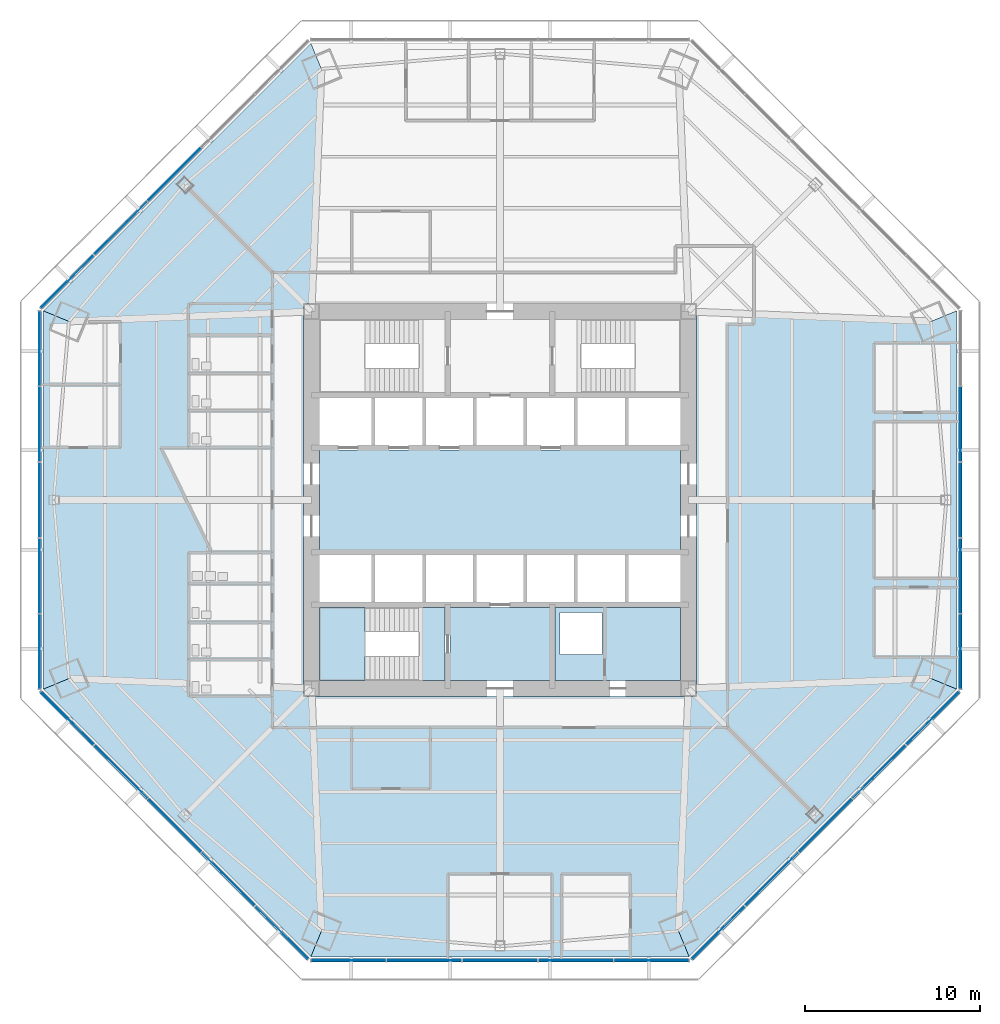
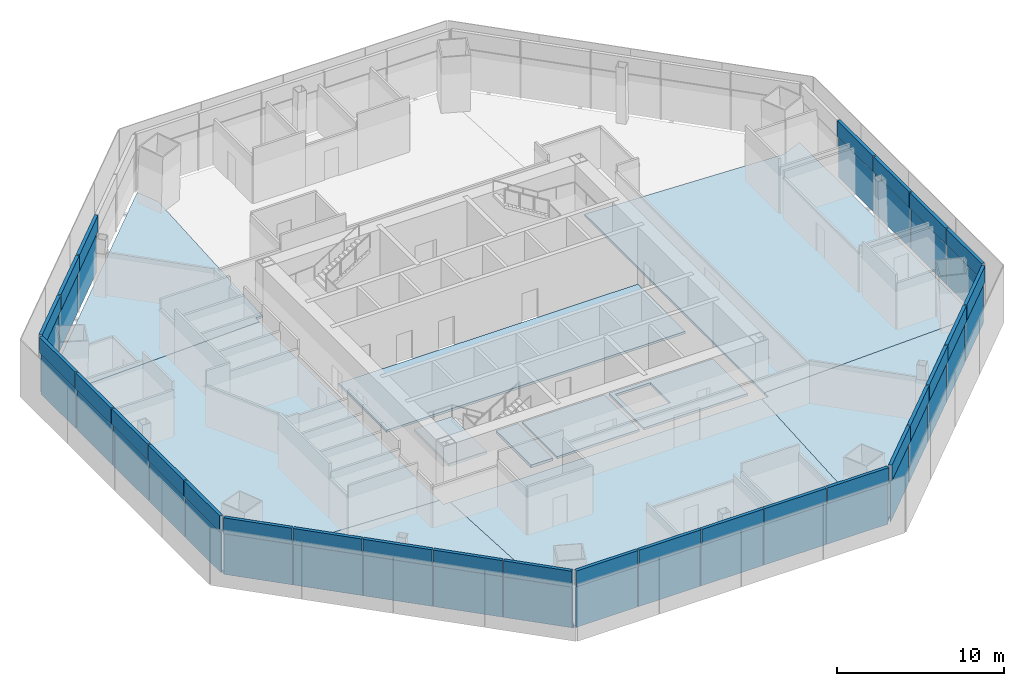
# One storey, part 8 of 15: 54 plates, 11 slabs, 7 elements without a shape of their own.
"""IFC4 building model written with IfcOpenShell, lengths in metres."""

from ifc_helpers import new_model, si_unit, direction, frame, origin, origin_2d, place, context, subcontext, project, spatial, polyline, rectangle, outline, extrude, source, transform, mapped, material, layer, layer_set, type_object, type_shapes, element, aggregate, save


model = new_model("IFC4")

# Units and contexts
model_context = context("Model", 3, precision=1e-05, world=origin(), true_north=direction((0.0, 1.0)))
body_context = subcontext(model_context, "Body", "Model", "MODEL_VIEW")
ifc_project = project(units=[si_unit("LENGTHUNIT", "METRE"), si_unit("AREAUNIT", "SQUARE_METRE"), si_unit("VOLUMEUNIT", "CUBIC_METRE"), si_unit("PLANEANGLEUNIT", "RADIAN"), si_unit("MASSUNIT", "GRAM", prefix="KILO")], contexts=[model_context])

# Site, building, storey
site_placement = place(None, origin())
site = spatial("IfcSite", under=ifc_project, at=site_placement, CompositionType="ELEMENT")
building_placement = place(site_placement, origin())
building = spatial("IfcBuilding", under=site, at=building_placement, Name="Mashrafa Tower", CompositionType="ELEMENT")
storey_placement = place(building_placement, frame((0.0, 0.0, 58.199951171875)))
storey = spatial("IfcBuildingStorey", under=building, at=storey_placement, Name="L12", CompositionType="ELEMENT", Elevation=58.199951171875)

# Slabs
ifc_material_1 = material(Name="Concrete C35/45", Category="concrete")
ifc_layer_1 = layer(ifc_material_1, 0.1650390625)
ifc_layer_set_1 = layer_set([ifc_layer_1], Name="Floor slab 165")
slab_type_1 = type_object("IfcSlabType", Name="Floor slab 165", PredefinedType="FLOOR", material=ifc_layer_set_1)
slab_1_placement = place(storey_placement, frame((0.0, 0.0, -0.1650390625)))
element("IfcSlab", 1, at=slab_1_placement, inside=storey, type_object=slab_type_1, Name="Floor slab L12 east bay", PredefinedType="FLOOR", context=body_context, shape_type="SweptSolid", body=[
    extrude(outline(polyline([(26.168212890625, -10.83935546875), (24.69482421875, -10.22900390625), (11.25, -10.781494140625), (11.25, 10.781494140625), (24.69482421875, 10.22900390625), (26.168212890625, 10.83935546875), (26.168212890625, -10.83935546875)])), origin(), (0.0, 0.0, 1.0), 0.1650390625),
])
slab_2_placement = place(storey_placement, frame((0.0, 0.0, -0.1650390625)))
element("IfcSlab", 2, at=slab_2_placement, inside=storey, type_object=slab_type_1, Name="Floor slab L12 north-west bay", PredefinedType="FLOOR", context=body_context, shape_type="SweptSolid", body=[
    extrude(outline(polyline([(-26.168212890625, 10.83935546875), (-10.83935546875, 26.168212890625), (-10.83935546875, 26.168212890625), (-10.22900390625, 24.69482421875), (-10.781494140625, 11.25), (-11.25, 11.25), (-11.25, 10.781494140625), (-24.69482421875, 10.22900390625), (-26.168212890625, 10.83935546875), (-26.168212890625, 10.83935546875)])), origin(), (0.0, 0.0, 1.0), 0.1650390625),
])
slab_3_placement = place(storey_placement, frame((0.0, 0.0, -0.1650390625)))
element("IfcSlab", 3, at=slab_3_placement, inside=storey, type_object=slab_type_1, Name="Floor slab L12 west bay", PredefinedType="FLOOR", context=body_context, shape_type="SweptSolid", body=[
    extrude(outline(polyline([(-26.168212890625, 10.83935546875), (-24.69482421875, 10.22900390625), (-11.25, 10.781494140625), (-11.25, -10.781494140625), (-24.69482421875, -10.22900390625), (-26.168212890625, -10.83935546875), (-26.168212890625, 10.83935546875)])), origin(), (0.0, 0.0, 1.0), 0.1650390625),
])
slab_4_placement = place(storey_placement, frame((0.0, 0.0, -0.1650390625)))
element("IfcSlab", 4, at=slab_4_placement, inside=storey, type_object=slab_type_1, Name="Floor slab L12 south-west bay", PredefinedType="FLOOR", context=body_context, shape_type="SweptSolid", body=[
    extrude(outline(polyline([(-10.83935546875, -26.168212890625), (-26.168212890625, -10.83935546875), (-26.168212890625, -10.83935546875), (-24.69482421875, -10.22900390625), (-11.25, -10.781494140625), (-11.25, -11.25), (-10.781494140625, -11.25), (-10.22900390625, -24.69482421875), (-10.83935546875, -26.168212890625), (-10.83935546875, -26.168212890625)])), origin(), (0.0, 0.0, 1.0), 0.1650390625),
])
slab_5_placement = place(storey_placement, frame((0.0, 0.0, -0.1650390625)))
element("IfcSlab", 5, at=slab_5_placement, inside=storey, type_object=slab_type_1, Name="Floor slab L12 south bay", PredefinedType="FLOOR", context=body_context, shape_type="SweptSolid", body=[
    extrude(outline(polyline([(-10.83935546875, -26.168212890625), (-10.22900390625, -24.69482421875), (-10.781494140625, -11.25), (10.781494140625, -11.25), (10.22900390625, -24.69482421875), (10.83935546875, -26.168212890625), (-10.83935546875, -26.168212890625)])), origin(), (0.0, 0.0, 1.0), 0.1650390625),
])
slab_6_placement = place(storey_placement, frame((0.0, 0.0, -0.1650390625)))
element("IfcSlab", 6, at=slab_6_placement, inside=storey, type_object=slab_type_1, Name="Floor slab L12 south-east bay", PredefinedType="FLOOR", context=body_context, shape_type="SweptSolid", body=[
    extrude(outline(polyline([(10.83935546875, -26.168212890625), (10.22900390625, -24.69482421875), (10.781494140625, -11.25), (11.25, -11.25), (11.25, -10.781494140625), (24.69482421875, -10.22900390625), (26.168212890625, -10.83935546875), (26.168212890625, -10.83935546875), (10.83935546875, -26.168212890625), (10.83935546875, -26.168212890625)])), origin(), (0.0, 0.0, 1.0), 0.1650390625),
])
slab_7_placement = place(storey_placement, frame((0.0, 0.0, -0.1650390625)))
element("IfcSlab", 7, at=slab_7_placement, inside=storey, type_object=slab_type_1, Name="Core floor lift hall L12", PredefinedType="FLOOR", context=body_context, shape_type="SweptSolid", body=[
    extrude(outline(polyline([(-10.35009765625, 2.85009765625), (10.35009765625, 2.85009765625), (10.35009765625, -2.85009765625), (-10.35009765625, -2.85009765625), (-10.35009765625, 2.85009765625)])), origin(), (0.0, 0.0, 1.0), 0.1650390625),
])
slab_8_placement = place(storey_placement, frame((0.0, 0.0, -0.1650390625)))
element("IfcSlab", 8, at=slab_8_placement, inside=storey, type_object=slab_type_1, Name="Core floor riser and electrical band L12", PredefinedType="FLOOR", context=body_context, shape_type="SweptSolid", body=[
    extrude(outline(polyline([(10.35009765625, -6.14990234375), (10.35009765625, -10.35009765625), (3.14990234375, -10.35009765625), (3.14990234375, -6.14990234375), (10.35009765625, -6.14990234375)]), holes=[polyline([(3.449951171875, -8.85009765625), (5.85009765625, -8.85009765625), (5.85009765625, -6.449951171875), (3.449951171875, -6.449951171875), (3.449951171875, -8.85009765625)])]), origin(), (0.0, 0.0, 1.0), 0.1650390625),
])
slab_9_placement = place(storey_placement, frame((0.0, 0.0, -0.1650390625)))
element("IfcSlab", 9, at=slab_9_placement, inside=storey, type_object=slab_type_1, Name="Core floor fire-fighting lobby south L12", PredefinedType="FLOOR", context=body_context, shape_type="SweptSolid", body=[
    extrude(outline(polyline([(2.85009765625, -6.14990234375), (2.85009765625, -10.35009765625), (-2.85009765625, -10.35009765625), (-2.85009765625, -6.14990234375), (2.85009765625, -6.14990234375)])), origin(), (0.0, 0.0, 1.0), 0.1650390625),
])

# Stair, slabs
ifc_material_2 = material(Name="Exit stair 1400")
stair_type = type_object("IfcStairType", Name="Exit stair 1400", PredefinedType="HALF_TURN_STAIR", material=ifc_material_2)
stair_placement = place(storey_placement, origin())
stair = element("IfcStair", 10, at=stair_placement, inside=storey, type_object=stair_type, Name="Stair S3 L12", PredefinedType="HALF_TURN_STAIR")
ifc_material_3 = material(Name="Concrete C32/40", Category="concrete")
ifc_layer_2 = layer(ifc_material_3, 0.199951171875)
ifc_layer_set_2 = layer_set([ifc_layer_2], Name="Stair landing 200")
slab_type_2 = type_object("IfcSlabType", Name="Stair landing 200", PredefinedType="LANDING", material=ifc_layer_set_2)
slab_10_placement = place(storey_placement, frame((0.0, 0.0, -0.199951171875)))
slab_10 = element("IfcSlab", 11, at=slab_10_placement, type_object=slab_type_2, Name="S3 landing 1", PredefinedType="LANDING", context=body_context, shape_type="SweptSolid", body=[
    extrude(outline(polyline([(-4.659912109375, -10.35009765625), (-3.14990234375, -10.35009765625), (-3.14990234375, -6.14990234375), (-4.659912109375, -6.14990234375), (-4.659912109375, -10.35009765625)])), origin(), (0.0, 0.0, 1.0), 0.199951171875),
])
slab_11_placement = place(storey_placement, frame((0.0, 0.0, 1.900146484375)))
slab_11 = element("IfcSlab", 12, at=slab_11_placement, type_object=slab_type_2, Name="S3 landing 2", PredefinedType="LANDING", context=body_context, shape_type="SweptSolid", body=[
    extrude(outline(polyline([(-10.35009765625, -10.35009765625), (-7.719970703125, -10.35009765625), (-7.719970703125, -6.14990234375), (-10.35009765625, -6.14990234375), (-10.35009765625, -10.35009765625)])), origin(), (0.0, 0.0, 1.0), 0.199951171875),
])
aggregate(stair, [slab_10, slab_11])

# Curtain wall, plate
ifc_material_4 = material(Name="Unitised aluminium curtain wall", Category="aluminium")
curtain_wall_type = type_object("IfcCurtainWallType", Name="Office curtain wall, zone 1 CW-A 200 deep", PredefinedType="NOTDEFINED", material=ifc_material_4)
curtain_wall_1_placement = place(storey_placement, origin())
curtain_wall_1 = element("IfcCurtainWall", 13, at=curtain_wall_1_placement, inside=storey, type_object=curtain_wall_type, Name="Office curtain wall, zone 1 L12 east", PredefinedType="NOTDEFINED")
ifc_material_5 = material(Name="Insulated double glazing, low-e, neutral", Category="glass")
ifc_layer_3 = layer(ifc_material_5, 0.028076171875)
ifc_layer_set_3 = layer_set([ifc_layer_3], Name="Vision panel CW-A 28")
plate_type_1 = type_object("IfcPlateType", Name="Vision panel CW-A 28", PredefinedType="CURTAIN_PANEL", material=ifc_layer_set_3)
shared_shape_1 = source(origin(), body_context, "Body", "SweptSolid", [
    extrude(rectangle(XDim=4.250732421875, YDim=0.028076171875, at=origin_2d()), origin(), (0.0, 0.0, 1.0), 2.9599609375),
])
plate_1_placement = place(storey_placement, frame((26.368408203125, -8.680419921875, 0.0), z_axis=(0.0, 0.0, 1.0), x_axis=(0.0, 1.0, 0.0)))
plate_1 = element("IfcPlate", 14, at=plate_1_placement, type_object=plate_type_1, Name="CW-A vision panel 1", PredefinedType="CURTAIN_PANEL", context=body_context, shape_type="MappedRepresentation", body=[
    mapped(shared_shape_1, transform((0.0, 0.0, 0.0))),
])

curtain_wall_2_placement = place(storey_placement, origin())
curtain_wall_2 = element("IfcCurtainWall", 15, at=curtain_wall_2_placement, inside=storey, type_object=curtain_wall_type, Name="Office curtain wall, zone 1 L12 north-west", PredefinedType="NOTDEFINED")
plate_2_placement = place(storey_placement, frame((-24.783203125, 12.50732421875, 0.0), z_axis=(0.0, 0.0, 1.0), x_axis=(-0.707106781187, -0.707106781187, 0.0)))
plate_2 = element("IfcPlate", 16, at=plate_2_placement, type_object=plate_type_1, Name="CW-A vision panel 5", PredefinedType="CURTAIN_PANEL", context=body_context, shape_type="MappedRepresentation", body=[
    mapped(shared_shape_1, transform((0.0, 0.0, 0.0))),
])

# Curtain wall, plates
curtain_wall_3_placement = place(storey_placement, origin())
curtain_wall_3 = element("IfcCurtainWall", 17, at=curtain_wall_3_placement, inside=storey, type_object=curtain_wall_type, Name="Office curtain wall, zone 1 L12 west", PredefinedType="NOTDEFINED")
plate_3_placement = place(storey_placement, frame((-26.368408203125, 8.680419921875, 0.0), z_axis=(0.0, 0.0, 1.0), x_axis=(0.0, -1.0, 0.0)))
plate_3 = element("IfcPlate", 18, at=plate_3_placement, type_object=plate_type_1, Name="CW-A vision panel 1", PredefinedType="CURTAIN_PANEL", context=body_context, shape_type="MappedRepresentation", body=[
    mapped(shared_shape_1, transform((0.0, 0.0, 0.0))),
])
plate_4_placement = place(storey_placement, frame((-26.368408203125, -8.680419921875, 0.0), z_axis=(0.0, 0.0, 1.0), x_axis=(0.0, -1.0, 0.0)))
plate_4 = element("IfcPlate", 19, at=plate_4_placement, type_object=plate_type_1, Name="CW-A vision panel 5", PredefinedType="CURTAIN_PANEL", context=body_context, shape_type="MappedRepresentation", body=[
    mapped(shared_shape_1, transform((0.0, 0.0, 0.0))),
])

curtain_wall_4_placement = place(storey_placement, origin())
curtain_wall_4 = element("IfcCurtainWall", 20, at=curtain_wall_4_placement, inside=storey, type_object=curtain_wall_type, Name="Office curtain wall, zone 1 L12 south-west", PredefinedType="NOTDEFINED")
plate_5_placement = place(storey_placement, frame((-24.783203125, -12.50732421875, 0.0), z_axis=(0.0, 0.0, 1.0), x_axis=(0.707106781187, -0.707106781187, 0.0)))
plate_5 = element("IfcPlate", 21, at=plate_5_placement, type_object=plate_type_1, Name="CW-A vision panel 1", PredefinedType="CURTAIN_PANEL", context=body_context, shape_type="MappedRepresentation", body=[
    mapped(shared_shape_1, transform((0.0, 0.0, 0.0))),
])
plate_6_placement = place(storey_placement, frame((-12.50732421875, -24.783203125, 0.0), z_axis=(0.0, 0.0, 1.0), x_axis=(0.707106781187, -0.707106781187, 0.0)))
plate_6 = element("IfcPlate", 22, at=plate_6_placement, type_object=plate_type_1, Name="CW-A vision panel 5", PredefinedType="CURTAIN_PANEL", context=body_context, shape_type="MappedRepresentation", body=[
    mapped(shared_shape_1, transform((0.0, 0.0, 0.0))),
])

curtain_wall_5_placement = place(storey_placement, origin())
curtain_wall_5 = element("IfcCurtainWall", 23, at=curtain_wall_5_placement, inside=storey, type_object=curtain_wall_type, Name="Office curtain wall, zone 1 L12 south", PredefinedType="NOTDEFINED")
plate_7_placement = place(storey_placement, frame((-8.680419921875, -26.368408203125, 0.0), z_axis=(0.0, 0.0, 1.0), x_axis=(1.0, 0.0, 0.0)))
plate_7 = element("IfcPlate", 24, at=plate_7_placement, type_object=plate_type_1, Name="CW-A vision panel 1", PredefinedType="CURTAIN_PANEL", context=body_context, shape_type="MappedRepresentation", body=[
    mapped(shared_shape_1, transform((0.0, 0.0, 0.0))),
])
plate_8_placement = place(storey_placement, frame((8.680419921875, -26.368408203125, 0.0), z_axis=(0.0, 0.0, 1.0), x_axis=(1.0, 0.0, 0.0)))
plate_8 = element("IfcPlate", 25, at=plate_8_placement, type_object=plate_type_1, Name="CW-A vision panel 5", PredefinedType="CURTAIN_PANEL", context=body_context, shape_type="MappedRepresentation", body=[
    mapped(shared_shape_1, transform((0.0, 0.0, 0.0))),
])

curtain_wall_6_placement = place(storey_placement, origin())
curtain_wall_6 = element("IfcCurtainWall", 26, at=curtain_wall_6_placement, inside=storey, type_object=curtain_wall_type, Name="Office curtain wall, zone 1 L12 south-east", PredefinedType="NOTDEFINED")
plate_9_placement = place(storey_placement, frame((12.50732421875, -24.783203125, 0.0), z_axis=(0.0, 0.0, 1.0), x_axis=(0.707106781187, 0.707106781187, 0.0)))
plate_9 = element("IfcPlate", 27, at=plate_9_placement, type_object=plate_type_1, Name="CW-A vision panel 1", PredefinedType="CURTAIN_PANEL", context=body_context, shape_type="MappedRepresentation", body=[
    mapped(shared_shape_1, transform((0.0, 0.0, 0.0))),
])
plate_10_placement = place(storey_placement, frame((24.783203125, -12.50732421875, 0.0), z_axis=(0.0, 0.0, 1.0), x_axis=(0.707106781187, 0.707106781187, 0.0)))
plate_10 = element("IfcPlate", 28, at=plate_10_placement, type_object=plate_type_1, Name="CW-A vision panel 5", PredefinedType="CURTAIN_PANEL", context=body_context, shape_type="MappedRepresentation", body=[
    mapped(shared_shape_1, transform((0.0, 0.0, 0.0))),
])

# Plate
ifc_material_6 = material(Name="Insulated aluminium spandrel panel", Category="aluminium")
ifc_layer_4 = layer(ifc_material_6, 0.219970703125)
ifc_layer_set_4 = layer_set([ifc_layer_4], Name="Spandrel panel CW-A 220")
plate_type_2 = type_object("IfcPlateType", Name="Spandrel panel CW-A 220", PredefinedType="CURTAIN_PANEL", material=ifc_layer_set_4)
shared_shape_2 = source(origin(), body_context, "Body", "SweptSolid", [
    extrude(rectangle(XDim=4.250732421875, YDim=0.219970703125, at=origin_2d()), origin(), (0.0, 0.0, 1.0), 1.159912109375),
])
plate_11_placement = place(storey_placement, frame((26.368408203125, -8.680419921875, 3.0400390625), z_axis=(0.0, 0.0, 1.0), x_axis=(0.0, 1.0, 0.0)))
plate_11 = element("IfcPlate", 29, at=plate_11_placement, type_object=plate_type_2, Name="CW-A spandrel panel 1", PredefinedType="CURTAIN_PANEL", context=body_context, shape_type="MappedRepresentation", body=[
    mapped(shared_shape_2, transform((0.0, 0.0, 0.0))),
])

plate_12_placement = place(storey_placement, frame((-24.783203125, 12.50732421875, 3.0400390625), z_axis=(0.0, 0.0, 1.0), x_axis=(-0.707106781187, -0.707106781187, 0.0)))
plate_12 = element("IfcPlate", 30, at=plate_12_placement, type_object=plate_type_2, Name="CW-A spandrel panel 5", PredefinedType="CURTAIN_PANEL", context=body_context, shape_type="MappedRepresentation", body=[
    mapped(shared_shape_2, transform((0.0, 0.0, 0.0))),
])

plate_13_placement = place(storey_placement, frame((-26.368408203125, 8.680419921875, 3.0400390625), z_axis=(0.0, 0.0, 1.0), x_axis=(0.0, -1.0, 0.0)))
plate_13 = element("IfcPlate", 31, at=plate_13_placement, type_object=plate_type_2, Name="CW-A spandrel panel 1", PredefinedType="CURTAIN_PANEL", context=body_context, shape_type="MappedRepresentation", body=[
    mapped(shared_shape_2, transform((0.0, 0.0, 0.0))),
])

plate_14_placement = place(storey_placement, frame((-26.368408203125, -8.680419921875, 3.0400390625), z_axis=(0.0, 0.0, 1.0), x_axis=(0.0, -1.0, 0.0)))
plate_14 = element("IfcPlate", 32, at=plate_14_placement, type_object=plate_type_2, Name="CW-A spandrel panel 5", PredefinedType="CURTAIN_PANEL", context=body_context, shape_type="MappedRepresentation", body=[
    mapped(shared_shape_2, transform((0.0, 0.0, 0.0))),
])

plate_15_placement = place(storey_placement, frame((-24.783203125, -12.50732421875, 3.0400390625), z_axis=(0.0, 0.0, 1.0), x_axis=(0.707106781187, -0.707106781187, 0.0)))
plate_15 = element("IfcPlate", 33, at=plate_15_placement, type_object=plate_type_2, Name="CW-A spandrel panel 1", PredefinedType="CURTAIN_PANEL", context=body_context, shape_type="MappedRepresentation", body=[
    mapped(shared_shape_2, transform((0.0, 0.0, 0.0))),
])

plate_16_placement = place(storey_placement, frame((-12.50732421875, -24.783203125, 3.0400390625), z_axis=(0.0, 0.0, 1.0), x_axis=(0.707106781187, -0.707106781187, 0.0)))
plate_16 = element("IfcPlate", 34, at=plate_16_placement, type_object=plate_type_2, Name="CW-A spandrel panel 5", PredefinedType="CURTAIN_PANEL", context=body_context, shape_type="MappedRepresentation", body=[
    mapped(shared_shape_2, transform((0.0, 0.0, 0.0))),
])

plate_17_placement = place(storey_placement, frame((-8.680419921875, -26.368408203125, 3.0400390625), z_axis=(0.0, 0.0, 1.0), x_axis=(1.0, 0.0, 0.0)))
plate_17 = element("IfcPlate", 35, at=plate_17_placement, type_object=plate_type_2, Name="CW-A spandrel panel 1", PredefinedType="CURTAIN_PANEL", context=body_context, shape_type="MappedRepresentation", body=[
    mapped(shared_shape_2, transform((0.0, 0.0, 0.0))),
])

plate_18_placement = place(storey_placement, frame((8.680419921875, -26.368408203125, 3.0400390625), z_axis=(0.0, 0.0, 1.0), x_axis=(1.0, 0.0, 0.0)))
plate_18 = element("IfcPlate", 36, at=plate_18_placement, type_object=plate_type_2, Name="CW-A spandrel panel 5", PredefinedType="CURTAIN_PANEL", context=body_context, shape_type="MappedRepresentation", body=[
    mapped(shared_shape_2, transform((0.0, 0.0, 0.0))),
])

plate_19_placement = place(storey_placement, frame((12.50732421875, -24.783203125, 3.0400390625), z_axis=(0.0, 0.0, 1.0), x_axis=(0.707106781187, 0.707106781187, 0.0)))
plate_19 = element("IfcPlate", 37, at=plate_19_placement, type_object=plate_type_2, Name="CW-A spandrel panel 1", PredefinedType="CURTAIN_PANEL", context=body_context, shape_type="MappedRepresentation", body=[
    mapped(shared_shape_2, transform((0.0, 0.0, 0.0))),
])

plate_20_placement = place(storey_placement, frame((24.783203125, -12.50732421875, 3.0400390625), z_axis=(0.0, 0.0, 1.0), x_axis=(0.707106781187, 0.707106781187, 0.0)))
plate_20 = element("IfcPlate", 38, at=plate_20_placement, type_object=plate_type_2, Name="CW-A spandrel panel 5", PredefinedType="CURTAIN_PANEL", context=body_context, shape_type="MappedRepresentation", body=[
    mapped(shared_shape_2, transform((0.0, 0.0, 0.0))),
])

shared_shape_3 = source(origin(), body_context, "Body", "SweptSolid", [
    extrude(rectangle(XDim=4.283203125, YDim=0.028076171875, at=origin_2d()), origin(), (0.0, 0.0, 1.0), 2.9599609375),
])
type_shapes(plate_type_1, [shared_shape_1, shared_shape_3])
plate_21_placement = place(storey_placement, frame((26.368408203125, -4.348388671875, 0.0), z_axis=(0.0, 0.0, 1.0), x_axis=(0.0, 1.0, 0.0)))
plate_21 = element("IfcPlate", 39, at=plate_21_placement, type_object=plate_type_1, Name="CW-A vision panel 2", PredefinedType="CURTAIN_PANEL", context=body_context, shape_type="MappedRepresentation", body=[
    mapped(shared_shape_3, transform((0.0, 0.0, 0.0))),
])

plate_22_placement = place(storey_placement, frame((26.368408203125, 0.0, 0.0), z_axis=(0.0, 0.0, 1.0), x_axis=(0.0, 1.0, 0.0)))
plate_22 = element("IfcPlate", 40, at=plate_22_placement, type_object=plate_type_1, Name="CW-A vision panel 3", PredefinedType="CURTAIN_PANEL", context=body_context, shape_type="MappedRepresentation", body=[
    mapped(shared_shape_3, transform((0.0, 0.0, 0.0))),
])

plate_23_placement = place(storey_placement, frame((26.368408203125, 4.348388671875, 0.0), z_axis=(0.0, 0.0, 1.0), x_axis=(0.0, 1.0, 0.0)))
plate_23 = element("IfcPlate", 41, at=plate_23_placement, type_object=plate_type_1, Name="CW-A vision panel 4", PredefinedType="CURTAIN_PANEL", context=body_context, shape_type="MappedRepresentation", body=[
    mapped(shared_shape_3, transform((0.0, 0.0, 0.0))),
])

plate_24_placement = place(storey_placement, frame((-18.645263671875, 18.645263671875, 0.0), z_axis=(0.0, 0.0, 1.0), x_axis=(-0.707106781187, -0.707106781187, 0.0)))
plate_24 = element("IfcPlate", 42, at=plate_24_placement, type_object=plate_type_1, Name="CW-A vision panel 3", PredefinedType="CURTAIN_PANEL", context=body_context, shape_type="MappedRepresentation", body=[
    mapped(shared_shape_3, transform((0.0, 0.0, 0.0))),
])

plate_25_placement = place(storey_placement, frame((-21.719970703125, 15.570556640625, 0.0), z_axis=(0.0, 0.0, 1.0), x_axis=(-0.707106781187, -0.707106781187, 0.0)))
plate_25 = element("IfcPlate", 43, at=plate_25_placement, type_object=plate_type_1, Name="CW-A vision panel 4", PredefinedType="CURTAIN_PANEL", context=body_context, shape_type="MappedRepresentation", body=[
    mapped(shared_shape_3, transform((0.0, 0.0, 0.0))),
])

plate_26_placement = place(storey_placement, frame((-26.368408203125, 4.348388671875, 0.0), z_axis=(0.0, 0.0, 1.0), x_axis=(0.0, -1.0, 0.0)))
plate_26 = element("IfcPlate", 44, at=plate_26_placement, type_object=plate_type_1, Name="CW-A vision panel 2", PredefinedType="CURTAIN_PANEL", context=body_context, shape_type="MappedRepresentation", body=[
    mapped(shared_shape_3, transform((0.0, 0.0, 0.0))),
])

plate_27_placement = place(storey_placement, frame((-26.368408203125, 0.0, 0.0), z_axis=(0.0, 0.0, 1.0), x_axis=(0.0, -1.0, 0.0)))
plate_27 = element("IfcPlate", 45, at=plate_27_placement, type_object=plate_type_1, Name="CW-A vision panel 3", PredefinedType="CURTAIN_PANEL", context=body_context, shape_type="MappedRepresentation", body=[
    mapped(shared_shape_3, transform((0.0, 0.0, 0.0))),
])

plate_28_placement = place(storey_placement, frame((-26.368408203125, -4.348388671875, 0.0), z_axis=(0.0, 0.0, 1.0), x_axis=(0.0, -1.0, 0.0)))
plate_28 = element("IfcPlate", 46, at=plate_28_placement, type_object=plate_type_1, Name="CW-A vision panel 4", PredefinedType="CURTAIN_PANEL", context=body_context, shape_type="MappedRepresentation", body=[
    mapped(shared_shape_3, transform((0.0, 0.0, 0.0))),
])

plate_29_placement = place(storey_placement, frame((-21.719970703125, -15.570556640625, 0.0), z_axis=(0.0, 0.0, 1.0), x_axis=(0.707106781187, -0.707106781187, 0.0)))
plate_29 = element("IfcPlate", 47, at=plate_29_placement, type_object=plate_type_1, Name="CW-A vision panel 2", PredefinedType="CURTAIN_PANEL", context=body_context, shape_type="MappedRepresentation", body=[
    mapped(shared_shape_3, transform((0.0, 0.0, 0.0))),
])

plate_30_placement = place(storey_placement, frame((-18.645263671875, -18.645263671875, 0.0), z_axis=(0.0, 0.0, 1.0), x_axis=(0.707106781187, -0.707106781187, 0.0)))
plate_30 = element("IfcPlate", 48, at=plate_30_placement, type_object=plate_type_1, Name="CW-A vision panel 3", PredefinedType="CURTAIN_PANEL", context=body_context, shape_type="MappedRepresentation", body=[
    mapped(shared_shape_3, transform((0.0, 0.0, 0.0))),
])

plate_31_placement = place(storey_placement, frame((-15.570556640625, -21.719970703125, 0.0), z_axis=(0.0, 0.0, 1.0), x_axis=(0.707106781187, -0.707106781187, 0.0)))
plate_31 = element("IfcPlate", 49, at=plate_31_placement, type_object=plate_type_1, Name="CW-A vision panel 4", PredefinedType="CURTAIN_PANEL", context=body_context, shape_type="MappedRepresentation", body=[
    mapped(shared_shape_3, transform((0.0, 0.0, 0.0))),
])

plate_32_placement = place(storey_placement, frame((-4.348388671875, -26.368408203125, 0.0), z_axis=(0.0, 0.0, 1.0), x_axis=(1.0, 0.0, 0.0)))
plate_32 = element("IfcPlate", 50, at=plate_32_placement, type_object=plate_type_1, Name="CW-A vision panel 2", PredefinedType="CURTAIN_PANEL", context=body_context, shape_type="MappedRepresentation", body=[
    mapped(shared_shape_3, transform((0.0, 0.0, 0.0))),
])

plate_33_placement = place(storey_placement, frame((0.0, -26.368408203125, 0.0), z_axis=(0.0, 0.0, 1.0), x_axis=(1.0, 0.0, 0.0)))
plate_33 = element("IfcPlate", 51, at=plate_33_placement, type_object=plate_type_1, Name="CW-A vision panel 3", PredefinedType="CURTAIN_PANEL", context=body_context, shape_type="MappedRepresentation", body=[
    mapped(shared_shape_3, transform((0.0, 0.0, 0.0))),
])

plate_34_placement = place(storey_placement, frame((4.348388671875, -26.368408203125, 0.0), z_axis=(0.0, 0.0, 1.0), x_axis=(1.0, 0.0, 0.0)))
plate_34 = element("IfcPlate", 52, at=plate_34_placement, type_object=plate_type_1, Name="CW-A vision panel 4", PredefinedType="CURTAIN_PANEL", context=body_context, shape_type="MappedRepresentation", body=[
    mapped(shared_shape_3, transform((0.0, 0.0, 0.0))),
])

plate_35_placement = place(storey_placement, frame((15.570556640625, -21.719970703125, 0.0), z_axis=(0.0, 0.0, 1.0), x_axis=(0.707106781187, 0.707106781187, 0.0)))
plate_35 = element("IfcPlate", 53, at=plate_35_placement, type_object=plate_type_1, Name="CW-A vision panel 2", PredefinedType="CURTAIN_PANEL", context=body_context, shape_type="MappedRepresentation", body=[
    mapped(shared_shape_3, transform((0.0, 0.0, 0.0))),
])

plate_36_placement = place(storey_placement, frame((18.645263671875, -18.645263671875, 0.0), z_axis=(0.0, 0.0, 1.0), x_axis=(0.707106781187, 0.707106781187, 0.0)))
plate_36 = element("IfcPlate", 54, at=plate_36_placement, type_object=plate_type_1, Name="CW-A vision panel 3", PredefinedType="CURTAIN_PANEL", context=body_context, shape_type="MappedRepresentation", body=[
    mapped(shared_shape_3, transform((0.0, 0.0, 0.0))),
])

plate_37_placement = place(storey_placement, frame((21.719970703125, -15.570556640625, 0.0), z_axis=(0.0, 0.0, 1.0), x_axis=(0.707106781187, 0.707106781187, 0.0)))
plate_37 = element("IfcPlate", 55, at=plate_37_placement, type_object=plate_type_1, Name="CW-A vision panel 4", PredefinedType="CURTAIN_PANEL", context=body_context, shape_type="MappedRepresentation", body=[
    mapped(shared_shape_3, transform((0.0, 0.0, 0.0))),
])

shared_shape_4 = source(origin(), body_context, "Body", "SweptSolid", [
    extrude(rectangle(XDim=4.283203125, YDim=0.219970703125, at=origin_2d()), origin(), (0.0, 0.0, 1.0), 1.159912109375),
])
type_shapes(plate_type_2, [shared_shape_2, shared_shape_4])
plate_38_placement = place(storey_placement, frame((26.368408203125, -4.348388671875, 3.0400390625), z_axis=(0.0, 0.0, 1.0), x_axis=(0.0, 1.0, 0.0)))
plate_38 = element("IfcPlate", 56, at=plate_38_placement, type_object=plate_type_2, Name="CW-A spandrel panel 2", PredefinedType="CURTAIN_PANEL", context=body_context, shape_type="MappedRepresentation", body=[
    mapped(shared_shape_4, transform((0.0, 0.0, 0.0))),
])

plate_39_placement = place(storey_placement, frame((26.368408203125, 0.0, 3.0400390625), z_axis=(0.0, 0.0, 1.0), x_axis=(0.0, 1.0, 0.0)))
plate_39 = element("IfcPlate", 57, at=plate_39_placement, type_object=plate_type_2, Name="CW-A spandrel panel 3", PredefinedType="CURTAIN_PANEL", context=body_context, shape_type="MappedRepresentation", body=[
    mapped(shared_shape_4, transform((0.0, 0.0, 0.0))),
])

plate_40_placement = place(storey_placement, frame((26.368408203125, 4.348388671875, 3.0400390625), z_axis=(0.0, 0.0, 1.0), x_axis=(0.0, 1.0, 0.0)))
plate_40 = element("IfcPlate", 58, at=plate_40_placement, type_object=plate_type_2, Name="CW-A spandrel panel 4", PredefinedType="CURTAIN_PANEL", context=body_context, shape_type="MappedRepresentation", body=[
    mapped(shared_shape_4, transform((0.0, 0.0, 0.0))),
])

aggregate(curtain_wall_1, [plate_1, plate_11, plate_21, plate_38, plate_22, plate_39, plate_23, plate_40])

plate_41_placement = place(storey_placement, frame((-18.645263671875, 18.645263671875, 3.0400390625), z_axis=(0.0, 0.0, 1.0), x_axis=(-0.707106781187, -0.707106781187, 0.0)))
plate_41 = element("IfcPlate", 59, at=plate_41_placement, type_object=plate_type_2, Name="CW-A spandrel panel 3", PredefinedType="CURTAIN_PANEL", context=body_context, shape_type="MappedRepresentation", body=[
    mapped(shared_shape_4, transform((0.0, 0.0, 0.0))),
])

plate_42_placement = place(storey_placement, frame((-21.719970703125, 15.570556640625, 3.0400390625), z_axis=(0.0, 0.0, 1.0), x_axis=(-0.707106781187, -0.707106781187, 0.0)))
plate_42 = element("IfcPlate", 60, at=plate_42_placement, type_object=plate_type_2, Name="CW-A spandrel panel 4", PredefinedType="CURTAIN_PANEL", context=body_context, shape_type="MappedRepresentation", body=[
    mapped(shared_shape_4, transform((0.0, 0.0, 0.0))),
])

aggregate(curtain_wall_2, [plate_24, plate_41, plate_25, plate_42, plate_2, plate_12])

plate_43_placement = place(storey_placement, frame((-26.368408203125, 4.348388671875, 3.0400390625), z_axis=(0.0, 0.0, 1.0), x_axis=(0.0, -1.0, 0.0)))
plate_43 = element("IfcPlate", 61, at=plate_43_placement, type_object=plate_type_2, Name="CW-A spandrel panel 2", PredefinedType="CURTAIN_PANEL", context=body_context, shape_type="MappedRepresentation", body=[
    mapped(shared_shape_4, transform((0.0, 0.0, 0.0))),
])

plate_44_placement = place(storey_placement, frame((-26.368408203125, 0.0, 3.0400390625), z_axis=(0.0, 0.0, 1.0), x_axis=(0.0, -1.0, 0.0)))
plate_44 = element("IfcPlate", 62, at=plate_44_placement, type_object=plate_type_2, Name="CW-A spandrel panel 3", PredefinedType="CURTAIN_PANEL", context=body_context, shape_type="MappedRepresentation", body=[
    mapped(shared_shape_4, transform((0.0, 0.0, 0.0))),
])

plate_45_placement = place(storey_placement, frame((-26.368408203125, -4.348388671875, 3.0400390625), z_axis=(0.0, 0.0, 1.0), x_axis=(0.0, -1.0, 0.0)))
plate_45 = element("IfcPlate", 63, at=plate_45_placement, type_object=plate_type_2, Name="CW-A spandrel panel 4", PredefinedType="CURTAIN_PANEL", context=body_context, shape_type="MappedRepresentation", body=[
    mapped(shared_shape_4, transform((0.0, 0.0, 0.0))),
])

aggregate(curtain_wall_3, [plate_3, plate_13, plate_26, plate_43, plate_27, plate_44, plate_28, plate_45, plate_4, plate_14])

plate_46_placement = place(storey_placement, frame((-21.719970703125, -15.570556640625, 3.0400390625), z_axis=(0.0, 0.0, 1.0), x_axis=(0.707106781187, -0.707106781187, 0.0)))
plate_46 = element("IfcPlate", 64, at=plate_46_placement, type_object=plate_type_2, Name="CW-A spandrel panel 2", PredefinedType="CURTAIN_PANEL", context=body_context, shape_type="MappedRepresentation", body=[
    mapped(shared_shape_4, transform((0.0, 0.0, 0.0))),
])

plate_47_placement = place(storey_placement, frame((-18.645263671875, -18.645263671875, 3.0400390625), z_axis=(0.0, 0.0, 1.0), x_axis=(0.707106781187, -0.707106781187, 0.0)))
plate_47 = element("IfcPlate", 65, at=plate_47_placement, type_object=plate_type_2, Name="CW-A spandrel panel 3", PredefinedType="CURTAIN_PANEL", context=body_context, shape_type="MappedRepresentation", body=[
    mapped(shared_shape_4, transform((0.0, 0.0, 0.0))),
])

plate_48_placement = place(storey_placement, frame((-15.570556640625, -21.719970703125, 3.0400390625), z_axis=(0.0, 0.0, 1.0), x_axis=(0.707106781187, -0.707106781187, 0.0)))
plate_48 = element("IfcPlate", 66, at=plate_48_placement, type_object=plate_type_2, Name="CW-A spandrel panel 4", PredefinedType="CURTAIN_PANEL", context=body_context, shape_type="MappedRepresentation", body=[
    mapped(shared_shape_4, transform((0.0, 0.0, 0.0))),
])

aggregate(curtain_wall_4, [plate_5, plate_15, plate_29, plate_46, plate_30, plate_47, plate_31, plate_48, plate_6, plate_16])

plate_49_placement = place(storey_placement, frame((-4.348388671875, -26.368408203125, 3.0400390625), z_axis=(0.0, 0.0, 1.0), x_axis=(1.0, 0.0, 0.0)))
plate_49 = element("IfcPlate", 67, at=plate_49_placement, type_object=plate_type_2, Name="CW-A spandrel panel 2", PredefinedType="CURTAIN_PANEL", context=body_context, shape_type="MappedRepresentation", body=[
    mapped(shared_shape_4, transform((0.0, 0.0, 0.0))),
])

plate_50_placement = place(storey_placement, frame((0.0, -26.368408203125, 3.0400390625), z_axis=(0.0, 0.0, 1.0), x_axis=(1.0, 0.0, 0.0)))
plate_50 = element("IfcPlate", 68, at=plate_50_placement, type_object=plate_type_2, Name="CW-A spandrel panel 3", PredefinedType="CURTAIN_PANEL", context=body_context, shape_type="MappedRepresentation", body=[
    mapped(shared_shape_4, transform((0.0, 0.0, 0.0))),
])

plate_51_placement = place(storey_placement, frame((4.348388671875, -26.368408203125, 3.0400390625), z_axis=(0.0, 0.0, 1.0), x_axis=(1.0, 0.0, 0.0)))
plate_51 = element("IfcPlate", 69, at=plate_51_placement, type_object=plate_type_2, Name="CW-A spandrel panel 4", PredefinedType="CURTAIN_PANEL", context=body_context, shape_type="MappedRepresentation", body=[
    mapped(shared_shape_4, transform((0.0, 0.0, 0.0))),
])

aggregate(curtain_wall_5, [plate_7, plate_17, plate_32, plate_49, plate_33, plate_50, plate_34, plate_51, plate_8, plate_18])

plate_52_placement = place(storey_placement, frame((15.570556640625, -21.719970703125, 3.0400390625), z_axis=(0.0, 0.0, 1.0), x_axis=(0.707106781187, 0.707106781187, 0.0)))
plate_52 = element("IfcPlate", 70, at=plate_52_placement, type_object=plate_type_2, Name="CW-A spandrel panel 2", PredefinedType="CURTAIN_PANEL", context=body_context, shape_type="MappedRepresentation", body=[
    mapped(shared_shape_4, transform((0.0, 0.0, 0.0))),
])

plate_53_placement = place(storey_placement, frame((18.645263671875, -18.645263671875, 3.0400390625), z_axis=(0.0, 0.0, 1.0), x_axis=(0.707106781187, 0.707106781187, 0.0)))
plate_53 = element("IfcPlate", 71, at=plate_53_placement, type_object=plate_type_2, Name="CW-A spandrel panel 3", PredefinedType="CURTAIN_PANEL", context=body_context, shape_type="MappedRepresentation", body=[
    mapped(shared_shape_4, transform((0.0, 0.0, 0.0))),
])

plate_54_placement = place(storey_placement, frame((21.719970703125, -15.570556640625, 3.0400390625), z_axis=(0.0, 0.0, 1.0), x_axis=(0.707106781187, 0.707106781187, 0.0)))
plate_54 = element("IfcPlate", 72, at=plate_54_placement, type_object=plate_type_2, Name="CW-A spandrel panel 4", PredefinedType="CURTAIN_PANEL", context=body_context, shape_type="MappedRepresentation", body=[
    mapped(shared_shape_4, transform((0.0, 0.0, 0.0))),
])

aggregate(curtain_wall_6, [plate_9, plate_19, plate_35, plate_52, plate_36, plate_53, plate_37, plate_54, plate_10, plate_20])

save(model, "model.ifc")
